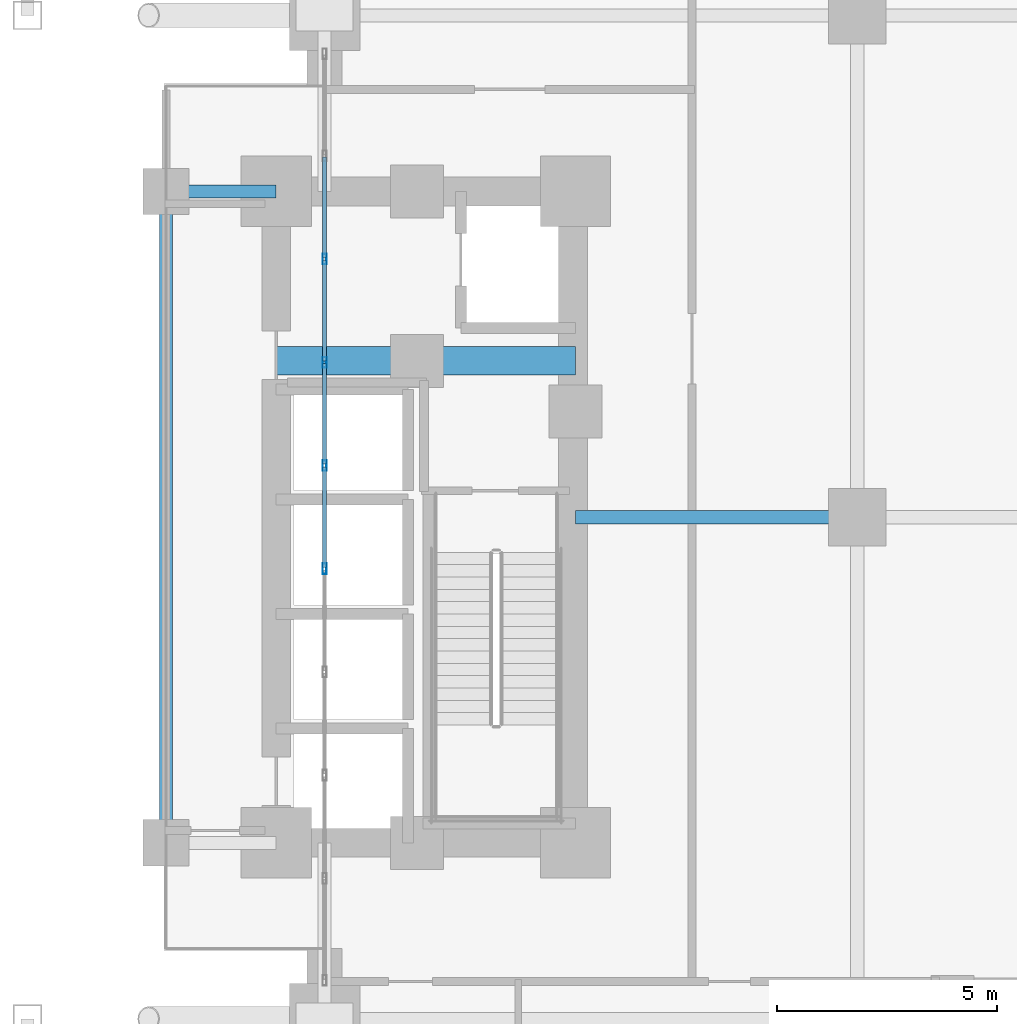
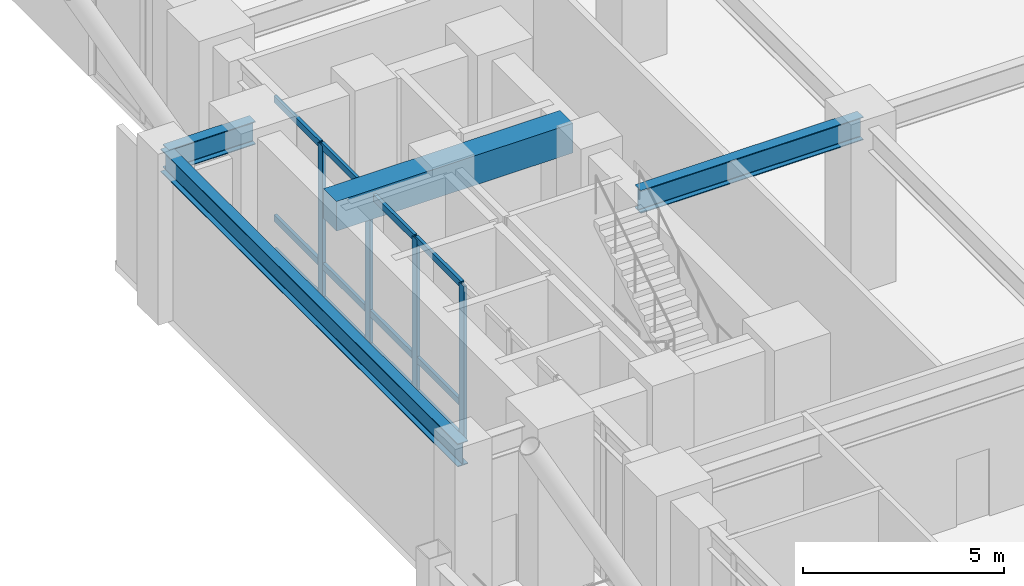
# One storey, part 9 of 27: 16 members, 4 beams, 1 element without a shape of its own.
"""IFC4 building model written with IfcOpenShell, lengths in metres."""

from ifc_helpers import new_model, si_unit, direction, frame, origin, origin_2d, place, context, subcontext, project, spatial, rectangle, hollow_rectangle, i_section, extrude, material, layer, layer_set, material_profile, profile_set, type_object, element, aggregate, save


model = new_model("IFC4")

# Units and contexts
model_context = context("Model", 3, precision=1e-05, world=origin(), true_north=direction((0.0, 1.0)))
body_context = subcontext(model_context, "Body", "Model", "MODEL_VIEW")
ifc_project = project(units=[si_unit("LENGTHUNIT", "METRE"), si_unit("AREAUNIT", "SQUARE_METRE"), si_unit("VOLUMEUNIT", "CUBIC_METRE"), si_unit("PLANEANGLEUNIT", "RADIAN"), si_unit("MASSUNIT", "GRAM", prefix="KILO")], contexts=[model_context])

# Site, building, storey
site_placement = place(None, origin())
site = spatial("IfcSite", under=ifc_project, at=site_placement, CompositionType="ELEMENT")
building_placement = place(site_placement, origin())
building = spatial("IfcBuilding", under=site, at=building_placement, Name="Voryun Gate Residences", CompositionType="ELEMENT")
storey_placement = place(building_placement, frame((0.0, 0.0, 5.199951171875)))
storey = spatial("IfcBuildingStorey", under=building, at=storey_placement, Name="L01", CompositionType="ELEMENT", Elevation=5.199951171875)

# Beams
ifc_material_1 = material(Name="Concrete C60/75", Category="concrete")
ifc_material_profile_1 = material_profile(ifc_material_1, rectangle(XDim=0.64990234375, YDim=0.89990234375, at=origin_2d()), Name="RC-650x900")
ifc_profile_set_1 = profile_set([ifc_material_profile_1], Name="Concrete C60/75")
beam_type_1 = type_object("IfcBeamType", Name="BM_COUP_RC900", PredefinedType="LINTEL", material=ifc_profile_set_1)
beam_1_placement = place(storey_placement, frame((12.39990234375, 3.550048828125, 4.469970703125), z_axis=(1.0, 0.0, 0.0), x_axis=(0.0, 1.0, 0.0)))
element("IfcBeam", 1, at=beam_1_placement, inside=storey, type_object=beam_type_1, Name="BM-L01-EC1", PredefinedType="LINTEL", context=body_context, shape_type="SweptSolid", body=[
    extrude(rectangle(XDim=0.64990234375, YDim=0.89990234375, at=origin_2d()), origin(), (0.0, 0.0, 1.0), 6.800048828125),
])
ifc_material_2 = material(Name="Steel SM355", Category="steel")
ifc_material_profile_2 = material_profile(ifc_material_2, i_section(OverallWidth=0.300048828125, OverallDepth=0.699951171875, WebThickness=0.012939453125, FlangeThickness=0.02392578125, FilletRadius=0.01806640625, at=origin_2d()), Name="H-700x300x13x24")
ifc_profile_set_2 = profile_set([ifc_material_profile_2], Name="Steel SM355")
beam_type_2 = type_object("IfcBeamType", Name="BM_GIRD_700", PredefinedType="USERDEFINED", material=ifc_profile_set_2)
beam_2_placement = place(storey_placement, frame((12.39990234375, 7.39990234375, 4.570068359375), z_axis=(-1.0, 0.0, 0.0), x_axis=(0.0, -1.0, 0.0)))
element("IfcBeam", 2, at=beam_2_placement, inside=storey, type_object=beam_type_2, Name="BM-L01-CLRX-CLR-EN", ObjectType="GIRDER", PredefinedType="USERDEFINED", context=body_context, shape_type="SweptSolid", body=[
    extrude(i_section(OverallWidth=0.300048828125, OverallDepth=0.699951171875, WebThickness=0.012939453125, FlangeThickness=0.02392578125, FilletRadius=0.01806640625, at=origin_2d()), origin(), (0.0, 0.0, 1.0), 2.5),
])
beam_3_placement = place(storey_placement, frame((9.89990234375, -7.39990234375, 4.570068359375), z_axis=(0.0, 1.0, 0.0), x_axis=(-1.0, 0.0, 0.0)))
element("IfcBeam", 3, at=beam_3_placement, inside=storey, type_object=beam_type_2, Name="BM-L01-CLRY-E", ObjectType="GIRDER", PredefinedType="USERDEFINED", context=body_context, shape_type="SweptSolid", body=[
    extrude(i_section(OverallWidth=0.300048828125, OverallDepth=0.699951171875, WebThickness=0.012939453125, FlangeThickness=0.02392578125, FilletRadius=0.01806640625, at=origin_2d()), origin(), (0.0, 0.0, 1.0), 14.7998046875),
])
beam_4_placement = place(storey_placement, frame((19.199951171875, 0.0, 4.570068359375), z_axis=(1.0, 0.0, 0.0), x_axis=(0.0, 1.0, 0.0)))
element("IfcBeam", 4, at=beam_4_placement, inside=storey, type_object=beam_type_2, Name="BM-L01-PEX-+0.0-0", ObjectType="GIRDER", PredefinedType="USERDEFINED", context=body_context, shape_type="SweptSolid", body=[
    extrude(i_section(OverallWidth=0.300048828125, OverallDepth=0.699951171875, WebThickness=0.012939453125, FlangeThickness=0.02392578125, FilletRadius=0.01806640625, at=origin_2d()), origin(), (0.0, 0.0, 1.0), 6.400146484375),
])

# Curtain wall, members
ifc_material_3 = material(Name="Anodised aluminium", Category="aluminium")
ifc_layer = layer(ifc_material_3, 0.239990234375, Name="CW_SYS_ARCH_DARK_GLASS")
ifc_layer_set = layer_set([ifc_layer], Name="Anodised aluminium")
curtain_wall_type = type_object("IfcCurtainWallType", Name="CW_SYS_ARCH_DARK_GLASS", PredefinedType="NOTDEFINED", material=ifc_layer_set)
curtain_wall_placement = place(storey_placement, origin())
curtain_wall = element("IfcCurtainWall", 5, at=curtain_wall_placement, inside=storey, type_object=curtain_wall_type, Name="Curtain wall CW2-L01-EP-M", PredefinedType="NOTDEFINED")
ifc_material_4 = material(Name="Anodised aluminium", Category="aluminium")
ifc_material_profile_3 = material_profile(ifc_material_4, hollow_rectangle(XDim=0.090087890625, YDim=0.239990234375, WallThickness=0.006103515625, at=origin_2d()), Name="ALU-MULL-240x90x6")
ifc_profile_set_3 = profile_set([ifc_material_profile_3], Name="Anodised aluminium")
member_type_1 = type_object("IfcMemberType", Name="CW_MULL_ARCH", PredefinedType="MULLION", material=ifc_profile_set_3)
member_1_placement = place(storey_placement, frame((13.5, -1.1728515625, 0.0), z_axis=(0.0, 0.0, 1.0), x_axis=(-1.0, 0.0, 0.0)))
member_1 = element("IfcMember", 6, at=member_1_placement, type_object=member_type_1, Name="CW2 mullion 5", PredefinedType="MULLION", context=body_context, shape_type="SweptSolid", body=[
    extrude(hollow_rectangle(XDim=0.090087890625, YDim=0.239990234375, WallThickness=0.006103515625, at=origin_2d()), origin(), (0.0, 0.0, 1.0), 4.699951171875),
])
member_2_placement = place(storey_placement, frame((13.5, 1.1728515625, 0.0), z_axis=(0.0, 0.0, 1.0), x_axis=(-1.0, 0.0, 0.0)))
member_2 = element("IfcMember", 7, at=member_2_placement, type_object=member_type_1, Name="CW2 mullion 6", PredefinedType="MULLION", context=body_context, shape_type="SweptSolid", body=[
    extrude(hollow_rectangle(XDim=0.090087890625, YDim=0.239990234375, WallThickness=0.006103515625, at=origin_2d()), origin(), (0.0, 0.0, 1.0), 4.699951171875),
])
member_3_placement = place(storey_placement, frame((13.5, 3.518310546875, 0.0), z_axis=(0.0, 0.0, 1.0), x_axis=(-1.0, 0.0, 0.0)))
member_3 = element("IfcMember", 8, at=member_3_placement, type_object=member_type_1, Name="CW2 mullion 7", PredefinedType="MULLION", context=body_context, shape_type="SweptSolid", body=[
    extrude(hollow_rectangle(XDim=0.090087890625, YDim=0.239990234375, WallThickness=0.006103515625, at=origin_2d()), origin(), (0.0, 0.0, 1.0), 4.699951171875),
])
member_4_placement = place(storey_placement, frame((13.5, 5.86376953125, 0.0), z_axis=(0.0, 0.0, 1.0), x_axis=(-1.0, 0.0, 0.0)))
member_4 = element("IfcMember", 9, at=member_4_placement, type_object=member_type_1, Name="CW2 mullion 8", PredefinedType="MULLION", context=body_context, shape_type="SweptSolid", body=[
    extrude(hollow_rectangle(XDim=0.090087890625, YDim=0.239990234375, WallThickness=0.006103515625, at=origin_2d()), origin(), (0.0, 0.0, 1.0), 4.699951171875),
])
ifc_material_5 = material(Name="Anodised aluminium", Category="aluminium")
ifc_material_profile_4 = material_profile(ifc_material_5, hollow_rectangle(XDim=0.090087890625, YDim=0.199951171875, WallThickness=0.006103515625, at=origin_2d()), Name="ALU-TRAN-200x90x6")
ifc_profile_set_4 = profile_set([ifc_material_profile_4], Name="Anodised aluminium")
member_type_2 = type_object("IfcMemberType", Name="CW_TRAN_ARCH", PredefinedType="USERDEFINED", material=ifc_profile_set_4)
member_5_placement = place(storey_placement, frame((13.5, -1.142822265625, 0.030029296875), z_axis=(0.0, 1.0, 0.0), x_axis=(-1.0, 0.0, 0.0)))
member_5 = element("IfcMember", 10, at=member_5_placement, type_object=member_type_2, Name="CW2 transom 5.1", ObjectType="TRANSOM", PredefinedType="USERDEFINED", context=body_context, shape_type="SweptSolid", body=[
    extrude(hollow_rectangle(XDim=0.090087890625, YDim=0.199951171875, WallThickness=0.006103515625, at=origin_2d()), origin(), (0.0, 0.0, 1.0), 2.28564453125),
])
member_6_placement = place(storey_placement, frame((13.5, -1.142822265625, 1.050048828125), z_axis=(0.0, 1.0, 0.0), x_axis=(-1.0, 0.0, 0.0)))
member_6 = element("IfcMember", 11, at=member_6_placement, type_object=member_type_2, Name="CW2 transom 5.2", ObjectType="TRANSOM", PredefinedType="USERDEFINED", context=body_context, shape_type="SweptSolid", body=[
    extrude(hollow_rectangle(XDim=0.090087890625, YDim=0.199951171875, WallThickness=0.006103515625, at=origin_2d()), origin(), (0.0, 0.0, 1.0), 2.28564453125),
])
member_7_placement = place(storey_placement, frame((13.5, -1.142822265625, 4.670166015625), z_axis=(0.0, 1.0, 0.0), x_axis=(-1.0, 0.0, 0.0)))
member_7 = element("IfcMember", 12, at=member_7_placement, type_object=member_type_2, Name="CW2 transom 5.3", ObjectType="TRANSOM", PredefinedType="USERDEFINED", context=body_context, shape_type="SweptSolid", body=[
    extrude(hollow_rectangle(XDim=0.090087890625, YDim=0.199951171875, WallThickness=0.006103515625, at=origin_2d()), origin(), (0.0, 0.0, 1.0), 2.28564453125),
])
member_8_placement = place(storey_placement, frame((13.5, 1.202880859375, 0.030029296875), z_axis=(0.0, 1.0, 0.0), x_axis=(-1.0, 0.0, 0.0)))
member_8 = element("IfcMember", 13, at=member_8_placement, type_object=member_type_2, Name="CW2 transom 6.1", ObjectType="TRANSOM", PredefinedType="USERDEFINED", context=body_context, shape_type="SweptSolid", body=[
    extrude(hollow_rectangle(XDim=0.090087890625, YDim=0.199951171875, WallThickness=0.006103515625, at=origin_2d()), origin(), (0.0, 0.0, 1.0), 2.285400390625),
])
member_9_placement = place(storey_placement, frame((13.5, 1.202880859375, 1.050048828125), z_axis=(0.0, 1.0, 0.0), x_axis=(-1.0, 0.0, 0.0)))
member_9 = element("IfcMember", 14, at=member_9_placement, type_object=member_type_2, Name="CW2 transom 6.2", ObjectType="TRANSOM", PredefinedType="USERDEFINED", context=body_context, shape_type="SweptSolid", body=[
    extrude(hollow_rectangle(XDim=0.090087890625, YDim=0.199951171875, WallThickness=0.006103515625, at=origin_2d()), origin(), (0.0, 0.0, 1.0), 2.285400390625),
])
member_10_placement = place(storey_placement, frame((13.5, 1.202880859375, 4.670166015625), z_axis=(0.0, 1.0, 0.0), x_axis=(-1.0, 0.0, 0.0)))
member_10 = element("IfcMember", 15, at=member_10_placement, type_object=member_type_2, Name="CW2 transom 6.3", ObjectType="TRANSOM", PredefinedType="USERDEFINED", context=body_context, shape_type="SweptSolid", body=[
    extrude(hollow_rectangle(XDim=0.090087890625, YDim=0.199951171875, WallThickness=0.006103515625, at=origin_2d()), origin(), (0.0, 0.0, 1.0), 2.285400390625),
])
member_11_placement = place(storey_placement, frame((13.5, 3.54833984375, 0.030029296875), z_axis=(0.0, 1.0, 0.0), x_axis=(-1.0, 0.0, 0.0)))
member_11 = element("IfcMember", 16, at=member_11_placement, type_object=member_type_2, Name="CW2 transom 7.1", ObjectType="TRANSOM", PredefinedType="USERDEFINED", context=body_context, shape_type="SweptSolid", body=[
    extrude(hollow_rectangle(XDim=0.090087890625, YDim=0.199951171875, WallThickness=0.006103515625, at=origin_2d()), origin(), (0.0, 0.0, 1.0), 2.28564453125),
])
member_12_placement = place(storey_placement, frame((13.5, 3.54833984375, 1.050048828125), z_axis=(0.0, 1.0, 0.0), x_axis=(-1.0, 0.0, 0.0)))
member_12 = element("IfcMember", 17, at=member_12_placement, type_object=member_type_2, Name="CW2 transom 7.2", ObjectType="TRANSOM", PredefinedType="USERDEFINED", context=body_context, shape_type="SweptSolid", body=[
    extrude(hollow_rectangle(XDim=0.090087890625, YDim=0.199951171875, WallThickness=0.006103515625, at=origin_2d()), origin(), (0.0, 0.0, 1.0), 2.28564453125),
])
member_13_placement = place(storey_placement, frame((13.5, 3.54833984375, 4.670166015625), z_axis=(0.0, 1.0, 0.0), x_axis=(-1.0, 0.0, 0.0)))
member_13 = element("IfcMember", 18, at=member_13_placement, type_object=member_type_2, Name="CW2 transom 7.3", ObjectType="TRANSOM", PredefinedType="USERDEFINED", context=body_context, shape_type="SweptSolid", body=[
    extrude(hollow_rectangle(XDim=0.090087890625, YDim=0.199951171875, WallThickness=0.006103515625, at=origin_2d()), origin(), (0.0, 0.0, 1.0), 2.28564453125),
])
member_14_placement = place(storey_placement, frame((13.5, 5.893798828125, 0.030029296875), z_axis=(0.0, 1.0, 0.0), x_axis=(-1.0, 0.0, 0.0)))
member_14 = element("IfcMember", 19, at=member_14_placement, type_object=member_type_2, Name="CW2 transom 8.1", ObjectType="TRANSOM", PredefinedType="USERDEFINED", context=body_context, shape_type="SweptSolid", body=[
    extrude(hollow_rectangle(XDim=0.090087890625, YDim=0.199951171875, WallThickness=0.006103515625, at=origin_2d()), origin(), (0.0, 0.0, 1.0), 2.28564453125),
])
member_15_placement = place(storey_placement, frame((13.5, 5.893798828125, 1.050048828125), z_axis=(0.0, 1.0, 0.0), x_axis=(-1.0, 0.0, 0.0)))
member_15 = element("IfcMember", 20, at=member_15_placement, type_object=member_type_2, Name="CW2 transom 8.2", ObjectType="TRANSOM", PredefinedType="USERDEFINED", context=body_context, shape_type="SweptSolid", body=[
    extrude(hollow_rectangle(XDim=0.090087890625, YDim=0.199951171875, WallThickness=0.006103515625, at=origin_2d()), origin(), (0.0, 0.0, 1.0), 2.28564453125),
])
member_16_placement = place(storey_placement, frame((13.5, 5.893798828125, 4.670166015625), z_axis=(0.0, 1.0, 0.0), x_axis=(-1.0, 0.0, 0.0)))
member_16 = element("IfcMember", 21, at=member_16_placement, type_object=member_type_2, Name="CW2 transom 8.3", ObjectType="TRANSOM", PredefinedType="USERDEFINED", context=body_context, shape_type="SweptSolid", body=[
    extrude(hollow_rectangle(XDim=0.090087890625, YDim=0.199951171875, WallThickness=0.006103515625, at=origin_2d()), origin(), (0.0, 0.0, 1.0), 2.28564453125),
])
aggregate(curtain_wall, [member_1, member_2, member_3, member_4, member_5, member_6, member_7, member_8, member_9, member_10, member_11, member_12, member_13, member_14, member_15, member_16])

save(model, "model.ifc")
